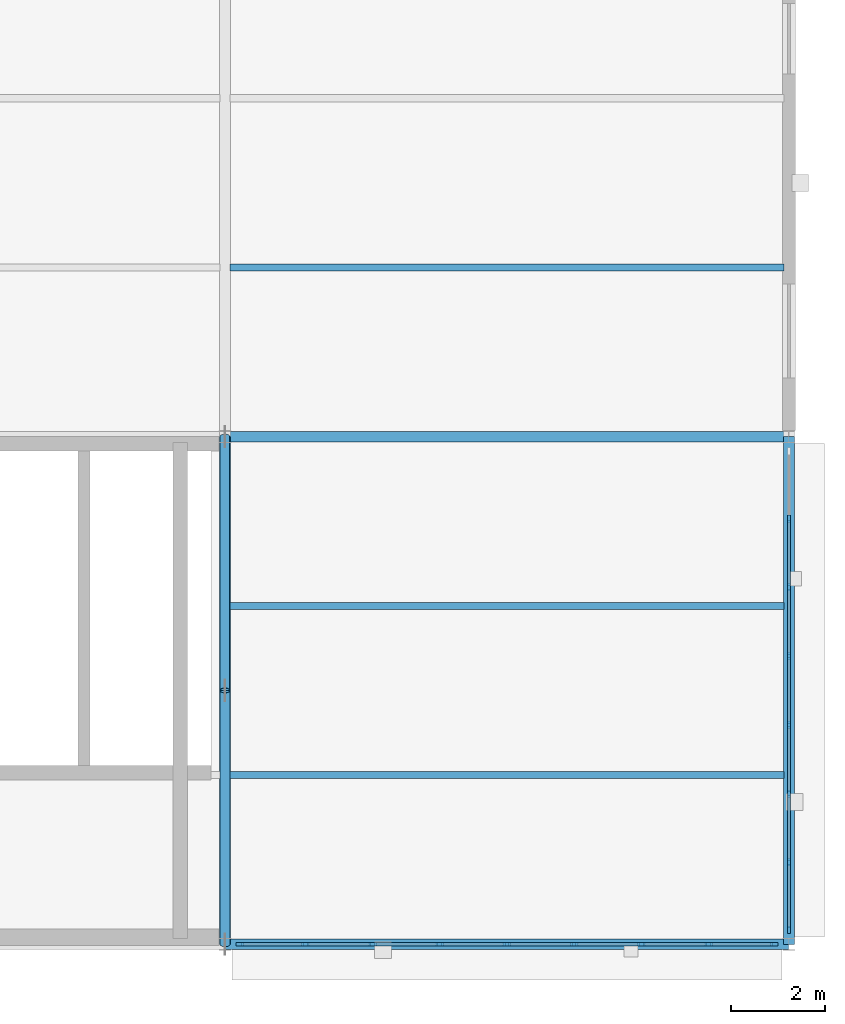
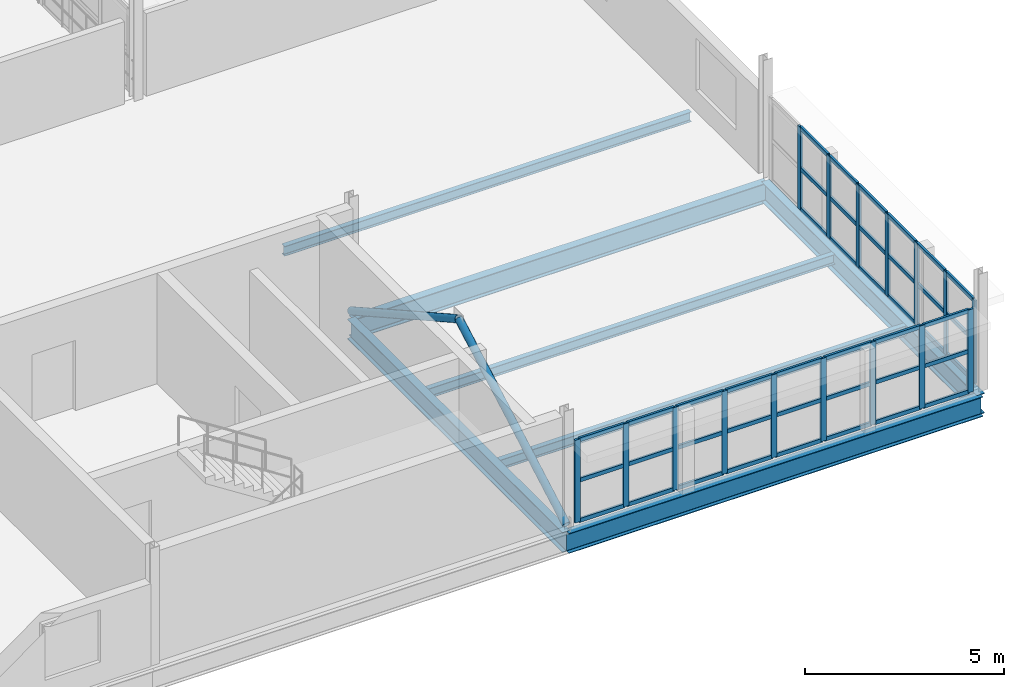
# One storey, part 37 of 74: 60 members, 7 beams, 2 elements without a shape of their own.
"""IFC4 building model written with IfcOpenShell, lengths in metres."""

import ifcopenshell
import ifcopenshell.guid

model = None  # the IFC model being written
_history = None  # IfcOwnerHistory: only IFC2X3 demands one
_inside = {}  # id of a spatial element -> (the spatial element, [elements in it])
_under = {}  # id of a project, library or spatial element -> (it, [spatial elements below it])
_declared = {}  # id of a project -> (the project, [libraries it declares])
_typed = {}  # id of a type object -> (the type object, [elements of that type])
_made_of = {}  # id of a material, layer set ... -> (it, [elements and type objects made of it])


def new_model(schema):
    """Start an empty IFC model of exactly this schema.

    Asked for "IFC4X3", IfcOpenShell would pick the latest addendum, in which some entities
    have other attributes; the version numbers below select the first issue.
    IFC2X3 requires an IfcOwnerHistory on every rooted entity: one is made here for all.
    """
    global model, _history
    if schema == "IFC4X3":
        model = ifcopenshell.file(schema_version=(4, 3, 0, 0))
    else:
        model = ifcopenshell.file(schema=schema)
    _inside.clear()
    _under.clear()
    _declared.clear()
    _typed.clear()
    _made_of.clear()
    _history = None
    if model.schema == "IFC2X3":
        org = make("IfcOrganization", Name="unknown")
        user = make(
            "IfcPersonAndOrganization",
            ThePerson=make("IfcPerson", FamilyName="unknown"),
            TheOrganization=org,
        )
        app = make(
            "IfcApplication",
            ApplicationDeveloper=org,
            Version="unknown",
            ApplicationFullName="unknown",
            ApplicationIdentifier="unknown",
        )
        _history = make(
            "IfcOwnerHistory",
            OwningUser=user,
            OwningApplication=app,
            ChangeAction="ADDED",
            CreationDate=0,
        )
    return model


def make(cls, **values):
    """One entity of the class cls with the attributes given. An attribute that is None is left unset."""
    return model.create_entity(
        cls, **{name: value for name, value in values.items() if value is not None}
    )


def rooted(cls, **values):
    """An entity with a GlobalId (a new one), such as an element, a storey or a relation."""
    return make(cls, GlobalId=ifcopenshell.guid.new(), OwnerHistory=_history, **values)


def si_unit(unit_type, name, prefix=None):
    """IfcSIUnit, for example si_unit("LENGTHUNIT", "METRE", prefix="MILLI")."""
    return make("IfcSIUnit", UnitType=unit_type, Prefix=prefix, Name=name)


def assignment(units):
    """IfcUnitAssignment: the units of a project."""
    return None if units is None else make("IfcUnitAssignment", Units=units)


def point(xyz):
    """IfcCartesianPoint."""
    return None if xyz is None else make("IfcCartesianPoint", Coordinates=xyz)


def direction(xyz):
    """IfcDirection."""
    return None if xyz is None else make("IfcDirection", DirectionRatios=xyz)


def frame(location, z_axis=None, x_axis=None):
    """IfcAxis2Placement3D, a coordinate frame: its origin and axes. An axis left out is left unset."""
    return make(
        "IfcAxis2Placement3D",
        Location=point(location),
        Axis=direction(z_axis),
        RefDirection=direction(x_axis),
    )


def frame_2d(location, x_axis=None):
    """IfcAxis2Placement2D, a coordinate frame in the plane: its origin and x axis."""
    return make(
        "IfcAxis2Placement2D", Location=point(location), RefDirection=direction(x_axis)
    )


def origin():
    """The frame at (0, 0, 0) with its axes left unset."""
    return frame((0.0, 0.0, 0.0))


def origin_2d():
    """The frame at (0, 0) in the plane with its x axis left unset."""
    return frame_2d((0.0, 0.0))


def place(relative_to, where):
    """IfcLocalPlacement: puts the frame where relative to a parent placement (None: the world)."""
    return make(
        "IfcLocalPlacement", PlacementRelTo=relative_to, RelativePlacement=where
    )


def context(
    kind, dimensions, precision=None, world=None, true_north=None, identifier=None
):
    """IfcGeometricRepresentationContext, for example the 3D "Model" context."""
    return make(
        "IfcGeometricRepresentationContext",
        ContextIdentifier=identifier,
        ContextType=kind,
        CoordinateSpaceDimension=dimensions,
        Precision=precision,
        WorldCoordinateSystem=world,
        TrueNorth=true_north,
    )


def subcontext(parent, identifier, kind, view, scale=None):
    """IfcGeometricRepresentationSubContext, for example "Body" below "Model"."""
    return make(
        "IfcGeometricRepresentationSubContext",
        ContextIdentifier=identifier,
        ContextType=kind,
        ParentContext=parent,
        TargetScale=scale,
        TargetView=view,
    )


def project(units=None, contexts=None):
    """IfcProject with its units and contexts."""
    return rooted(
        "IfcProject",
        Name="project",
        RepresentationContexts=contexts,
        UnitsInContext=assignment(units),
    )


def spatial(cls, under=None, at=None, **own):
    """A site, building, storey or space (cls), placed at a placement, below another one or the project."""
    s = rooted(cls, ObjectPlacement=at, **own)
    if under is not None:
        _under.setdefault(under.id(), (under, []))[1].append(s)
    return s


def profile(cls, at=None, kind="AREA", **sizes):
    """A parametric profile (cls). Its sizes go by their IFC names, for example OverallWidth=200.0."""
    return make(cls, ProfileType=kind, Position=at, **sizes)


def rectangle(**sizes):
    """IfcRectangleProfileDef."""
    return profile("IfcRectangleProfileDef", **sizes)


def hollow_circle(**sizes):
    """IfcCircleHollowProfileDef."""
    return profile("IfcCircleHollowProfileDef", **sizes)


def i_section(**sizes):
    """IfcIShapeProfileDef."""
    return profile("IfcIShapeProfileDef", **sizes)


def extrude(swept, where, along, depth):
    """IfcExtrudedAreaSolid: the profile swept, set in the frame where, extruded along a direction by depth."""
    return make(
        "IfcExtrudedAreaSolid",
        SweptArea=swept,
        Position=where,
        ExtrudedDirection=direction(along),
        Depth=depth,
    )


def shape(context_of_items, identifier, shape_type, items):
    """IfcShapeRepresentation: the items that make up one representation, for example the "Body"."""
    return make(
        "IfcShapeRepresentation",
        ContextOfItems=context_of_items,
        RepresentationIdentifier=identifier,
        RepresentationType=shape_type,
        Items=items,
    )


def material(Name=None, Category=None):
    """IfcMaterial."""
    return make("IfcMaterial", Name=Name, Category=Category)


def layer(
    of_material, thickness, ventilated=None, Name=None, Category=None, Priority=None
):
    """IfcMaterialLayer: one layer of a wall or slab, of a material (None: an air gap)."""
    return make(
        "IfcMaterialLayer",
        Material=of_material,
        LayerThickness=thickness,
        IsVentilated=ventilated,
        Name=Name,
        Category=Category,
        Priority=Priority,
    )


def layer_set(layers, Name=None):
    """IfcMaterialLayerSet."""
    return make("IfcMaterialLayerSet", MaterialLayers=layers, LayerSetName=Name)


def material_profile(
    of_material, cross_section, Name=None, Category=None, Priority=None
):
    """IfcMaterialProfile: a cross section and its material."""
    return make(
        "IfcMaterialProfile",
        Name=Name,
        Material=of_material,
        Profile=cross_section,
        Priority=Priority,
        Category=Category,
    )


def profile_set(profiles, Name=None, composite=None):
    """IfcMaterialProfileSet."""
    return make(
        "IfcMaterialProfileSet",
        Name=Name,
        MaterialProfiles=profiles,
        CompositeProfile=composite,
    )


def made_of(thing, what):
    """Note that an element or type object is made of a material, layer set ...; save() writes the relation."""
    if what is not None:
        _made_of.setdefault(what.id(), (what, []))[1].append(thing)
    return thing


def type_object(cls, material=None, **own):
    """A type object (cls), such as IfcWallType, which elements share."""
    return made_of(rooted(cls, **own), material)


def element(
    cls,
    number,
    at=None,
    inside=None,
    cuts=None,
    type_object=None,
    material=None,
    context=None,
    identifier="Body",
    shape_type=None,
    held_by="IfcProductDefinitionShape",
    body=None,
    shapes=None,
    **own,
):
    """One element of the class cls, such as IfcWall. Its Tag is "e" and its number.

    at: its placement. inside: the storey or other place that contains it. cuts: it is an
    opening in that element (IfcRelVoidsElement). A single representation is given by context,
    identifier, shape_type and body (its items); several are given by shapes. held_by: the class
    of the entity that holds the representations. save() writes the other relations.
    """
    e = rooted(cls, Tag="e%d" % number, ObjectPlacement=at, **own)
    if body is not None:
        shapes = [shape(context, identifier, shape_type, body)]
    if shapes is not None:
        e.Representation = make(held_by, Representations=shapes)
    if inside is not None:
        _inside.setdefault(inside.id(), (inside, []))[1].append(e)
    if cuts is not None:
        rooted(
            "IfcRelVoidsElement", RelatingBuildingElement=cuts, RelatedOpeningElement=e
        )
    if type_object is not None:
        _typed.setdefault(type_object.id(), (type_object, []))[1].append(e)
    return made_of(e, material)


def aggregate(whole, parts):
    """IfcRelAggregates: a whole, such as a stair, and the parts it consists of."""
    return rooted("IfcRelAggregates", RelatingObject=whole, RelatedObjects=parts)


def save(model, path):
    """Write the relations noted so far, then the file.

    IfcRelAggregates (storeys below a building ...), IfcRelContainedInSpatialStructure (elements
    in a storey), IfcRelDefinesByType, IfcRelAssociatesMaterial and IfcRelDeclares: one each for
    every whole, place, type object, material and project.
    """
    for whole, parts in _under.values():
        aggregate(whole, parts)
    for where, things in _inside.values():
        rooted(
            "IfcRelContainedInSpatialStructure",
            RelatedElements=things,
            RelatingStructure=where,
        )
    for kind, things in _typed.values():
        rooted("IfcRelDefinesByType", RelatedObjects=things, RelatingType=kind)
    for what, things in _made_of.values():
        rooted("IfcRelAssociatesMaterial", RelatedObjects=things, RelatingMaterial=what)
    for by, libraries in _declared.values():
        rooted("IfcRelDeclares", RelatingContext=by, RelatedDefinitions=libraries)
    model.write(path)


model = new_model("IFC4")

# Units and contexts
model_context = context("Model", 3, precision=1e-05, world=origin(), true_north=direction((0.0, 1.0)))
body_context = subcontext(model_context, "Body", "Model", "MODEL_VIEW")
ifc_project = project(units=[si_unit("LENGTHUNIT", "METRE"), si_unit("AREAUNIT", "SQUARE_METRE"), si_unit("VOLUMEUNIT", "CUBIC_METRE"), si_unit("PLANEANGLEUNIT", "RADIAN"), si_unit("MASSUNIT", "GRAM", prefix="KILO"), si_unit("THERMODYNAMICTEMPERATUREUNIT", "KELVIN"), si_unit("POWERUNIT", "WATT")], contexts=[model_context])

# Site, building, storey
site_placement = place(None, origin())
site = spatial("IfcSite", under=ifc_project, at=site_placement, CompositionType="ELEMENT")
building_placement = place(site_placement, origin())
building = spatial("IfcBuilding", under=site, at=building_placement, Name="Tembeka Court Mobility Hub", CompositionType="ELEMENT")
storey_placement = place(building_placement, frame((0.0, 0.0, 12.60009765625)))
storey = spatial("IfcBuildingStorey", under=building, at=storey_placement, Name="L03", CompositionType="ELEMENT", Elevation=12.60009765625)

# Beams
ifc_material_1 = material(Name="Steel S355", Category="steel")
ifc_material_profile_1 = material_profile(ifc_material_1, i_section(OverallWidth=0.22900390625, OverallDepth=0.612060546875, WebThickness=0.011962890625, FlangeThickness=0.01953125, FilletRadius=0.0126953125, at=origin_2d()), Name="UKB 610x229x125")
ifc_profile_set_1 = profile_set([ifc_material_profile_1], Name="Steel S355")
beam_type_1 = type_object("IfcBeamType", Name="BM-G02", PredefinedType="USERDEFINED", material=ifc_profile_set_1)
for number, where, z_axis, x_axis, name in (
    (1, (164.39990234375, 0.0, -0.49609375), (1.0, 0.0, 0.0), (0.0, 1.0, 0.0), "Beam G02 (BM-L03-X1695)"),
    (2, (164.39990234375, 10.800048828125, -0.49609375), (1.0, 0.0, 0.0), (0.0, 1.0, 0.0), "Beam G02 (BM-L03-X1702)"),
):
    element("IfcBeam", number, at=place(storey_placement, frame(where, z_axis=z_axis, x_axis=x_axis)), inside=storey, type_object=beam_type_1, Name=name, ObjectType="GIRDER", PredefinedType="USERDEFINED", context=body_context, shape_type="SweptSolid", body=[
        extrude(i_section(OverallWidth=0.22900390625, OverallDepth=0.612060546875, WebThickness=0.011962890625, FlangeThickness=0.01953125, FilletRadius=0.0126953125, at=origin_2d()), origin(), (0.0, 0.0, 1.0), 12.0),
    ])
for number, where, z_axis, x_axis, name in (
    (3, (164.39990234375, 0.0, -0.49609375), (0.0, 1.0, 0.0), (-1.0, 0.0, 0.0), "Beam G02 (BM-L03-Y1934)"),
    (4, (176.39990234375, 0.0, -0.49609375), (0.0, 1.0, 0.0), (-1.0, 0.0, 0.0), "Beam G02 (BM-L03-Y1940)"),
):
    element("IfcBeam", number, at=place(storey_placement, frame(where, z_axis=z_axis, x_axis=x_axis)), inside=storey, type_object=beam_type_1, Name=name, ObjectType="GIRDER", PredefinedType="USERDEFINED", context=body_context, shape_type="SweptSolid", body=[
        extrude(i_section(OverallWidth=0.22900390625, OverallDepth=0.612060546875, WebThickness=0.011962890625, FlangeThickness=0.01953125, FilletRadius=0.0126953125, at=origin_2d()), origin(), (0.0, 0.0, 1.0), 10.800048828125),
    ])
ifc_material_profile_2 = material_profile(ifc_material_1, i_section(OverallWidth=0.14990234375, OverallDepth=0.300048828125, WebThickness=0.007080078125, FlangeThickness=0.0107421875, FilletRadius=0.014892578125, at=origin_2d()), Name="IPE 300")
ifc_profile_set_2 = profile_set([ifc_material_profile_2], Name="Steel S355")
beam_type_2 = type_object("IfcBeamType", Name="BM-J04", PredefinedType="JOIST", material=ifc_profile_set_2)
for number, where, z_axis, x_axis, name in (
    (5, (164.509521484375, 3.60009765625, -0.340087890625), (1.0, 0.0, 0.0), (0.0, 1.0, 0.0), "Beam J04 (JST-L03-2171)"),
    (6, (164.509521484375, 7.199951171875, -0.340087890625), (1.0, 0.0, 0.0), (0.0, 1.0, 0.0), "Beam J04 (JST-L03-2172)"),
    (7, (164.509521484375, 14.39990234375, -0.340087890625), (1.0, 0.0, 0.0), (0.0, 1.0, 0.0), "Beam J04 (JST-L03-2173)"),
):
    element("IfcBeam", number, at=place(storey_placement, frame(where, z_axis=z_axis, x_axis=x_axis)), inside=storey, type_object=beam_type_2, Name=name, PredefinedType="JOIST", context=body_context, shape_type="SweptSolid", body=[
        extrude(i_section(OverallWidth=0.14990234375, OverallDepth=0.300048828125, WebThickness=0.007080078125, FlangeThickness=0.0107421875, FilletRadius=0.014892578125, at=origin_2d()), origin(), (0.0, 0.0, 1.0), 11.781005859375),
    ])

# Curtain wall, members
ifc_material_2 = material(Name="Anodised aluminium 6063-T6", Category="aluminium")
ifc_layer_1 = layer(ifc_material_2, 0.159912109375)
ifc_layer_set_1 = layer_set([ifc_layer_1], Name="Anodised aluminium 6063-T6")
curtain_wall_type_1 = type_object("IfcCurtainWallType", Name="CW-SYS41", PredefinedType="USERDEFINED", material=ifc_layer_set_1)
curtain_wall_1_placement = place(storey_placement, origin())
curtain_wall_1 = element("IfcCurtainWall", 8, at=curtain_wall_1_placement, inside=storey, type_object=curtain_wall_type_1, Name="Unitised curtain wall CW41 (CW-L03-134)", ObjectType="UNITISED GLAZING", PredefinedType="USERDEFINED")
ifc_material_profile_3 = material_profile(ifc_material_2, rectangle(XDim=0.06494140625, YDim=0.159912109375, at=origin_2d()), Name="ALU-MUL 65x160")
ifc_profile_set_3 = profile_set([ifc_material_profile_3], Name="Anodised aluminium 6063-T6")
member_type_1 = type_object("IfcMemberType", Name="CW-MUL01", PredefinedType="MULLION", material=ifc_profile_set_3)
member_1_placement = place(storey_placement, frame((164.71240234375, 0.0, 0.0), z_axis=(0.0, 0.0, 1.0), x_axis=(0.0, 1.0, 0.0)))
member_1 = element("IfcMember", 9, at=member_1_placement, type_object=member_type_1, Name="CW41 mullion 1", PredefinedType="MULLION", context=body_context, shape_type="SweptSolid", body=[
    extrude(rectangle(XDim=0.06494140625, YDim=0.159912109375, at=origin_2d()), origin(), (0.0, 0.0, 1.0), 2.534912109375),
])
member_2_placement = place(storey_placement, frame((166.110107421875, 0.0, 0.0), z_axis=(0.0, 0.0, 1.0), x_axis=(0.0, 1.0, 0.0)))
member_2 = element("IfcMember", 10, at=member_2_placement, type_object=member_type_1, Name="CW41 mullion 2", PredefinedType="MULLION", context=body_context, shape_type="SweptSolid", body=[
    extrude(rectangle(XDim=0.06494140625, YDim=0.159912109375, at=origin_2d()), origin(), (0.0, 0.0, 1.0), 2.534912109375),
])
member_3_placement = place(storey_placement, frame((167.5400390625, 0.0, 0.0), z_axis=(0.0, 0.0, 1.0), x_axis=(0.0, 1.0, 0.0)))
member_3 = element("IfcMember", 11, at=member_3_placement, type_object=member_type_1, Name="CW41 mullion 3", PredefinedType="MULLION", context=body_context, shape_type="SweptSolid", body=[
    extrude(rectangle(XDim=0.06494140625, YDim=0.159912109375, at=origin_2d()), origin(), (0.0, 0.0, 1.0), 2.534912109375),
])
member_4_placement = place(storey_placement, frame((168.969970703125, 0.0, 0.0), z_axis=(0.0, 0.0, 1.0), x_axis=(0.0, 1.0, 0.0)))
member_4 = element("IfcMember", 12, at=member_4_placement, type_object=member_type_1, Name="CW41 mullion 4", PredefinedType="MULLION", context=body_context, shape_type="SweptSolid", body=[
    extrude(rectangle(XDim=0.06494140625, YDim=0.159912109375, at=origin_2d()), origin(), (0.0, 0.0, 1.0), 2.534912109375),
])
member_5_placement = place(storey_placement, frame((170.39990234375, 0.0, 0.0), z_axis=(0.0, 0.0, 1.0), x_axis=(0.0, 1.0, 0.0)))
member_5 = element("IfcMember", 13, at=member_5_placement, type_object=member_type_1, Name="CW41 mullion 5", PredefinedType="MULLION", context=body_context, shape_type="SweptSolid", body=[
    extrude(rectangle(XDim=0.06494140625, YDim=0.159912109375, at=origin_2d()), origin(), (0.0, 0.0, 1.0), 2.534912109375),
])
member_6_placement = place(storey_placement, frame((171.830078125, 0.0, 0.0), z_axis=(0.0, 0.0, 1.0), x_axis=(0.0, 1.0, 0.0)))
member_6 = element("IfcMember", 14, at=member_6_placement, type_object=member_type_1, Name="CW41 mullion 6", PredefinedType="MULLION", context=body_context, shape_type="SweptSolid", body=[
    extrude(rectangle(XDim=0.06494140625, YDim=0.159912109375, at=origin_2d()), origin(), (0.0, 0.0, 1.0), 2.534912109375),
])
member_7_placement = place(storey_placement, frame((173.260009765625, 0.0, 0.0), z_axis=(0.0, 0.0, 1.0), x_axis=(0.0, 1.0, 0.0)))
member_7 = element("IfcMember", 15, at=member_7_placement, type_object=member_type_1, Name="CW41 mullion 7", PredefinedType="MULLION", context=body_context, shape_type="SweptSolid", body=[
    extrude(rectangle(XDim=0.06494140625, YDim=0.159912109375, at=origin_2d()), origin(), (0.0, 0.0, 1.0), 2.534912109375),
])
member_8_placement = place(storey_placement, frame((174.68994140625, 0.0, 0.0), z_axis=(0.0, 0.0, 1.0), x_axis=(0.0, 1.0, 0.0)))
member_8 = element("IfcMember", 16, at=member_8_placement, type_object=member_type_1, Name="CW41 mullion 8", PredefinedType="MULLION", context=body_context, shape_type="SweptSolid", body=[
    extrude(rectangle(XDim=0.06494140625, YDim=0.159912109375, at=origin_2d()), origin(), (0.0, 0.0, 1.0), 2.534912109375),
])
member_9_placement = place(storey_placement, frame((176.08740234375, 0.0, 0.0), z_axis=(0.0, 0.0, 1.0), x_axis=(0.0, 1.0, 0.0)))
member_9 = element("IfcMember", 17, at=member_9_placement, type_object=member_type_1, Name="CW41 mullion 9", PredefinedType="MULLION", context=body_context, shape_type="SweptSolid", body=[
    extrude(rectangle(XDim=0.06494140625, YDim=0.159912109375, at=origin_2d()), origin(), (0.0, 0.0, 1.0), 2.534912109375),
])

ifc_layer_2 = layer(ifc_material_2, 0.159912109375)
ifc_layer_set_2 = layer_set([ifc_layer_2], Name="Anodised aluminium 6063-T6")
curtain_wall_type_2 = type_object("IfcCurtainWallType", Name="CW-SYS42", PredefinedType="USERDEFINED", material=ifc_layer_set_2)
curtain_wall_2_placement = place(storey_placement, origin())
curtain_wall_2 = element("IfcCurtainWall", 18, at=curtain_wall_2_placement, inside=storey, type_object=curtain_wall_type_2, Name="Unitised curtain wall CW42 (CW-L03-135)", ObjectType="UNITISED GLAZING", PredefinedType="USERDEFINED")
member_10_placement = place(storey_placement, frame((176.39990234375, 0.3125, 0.0), z_axis=(0.0, 0.0, 1.0), x_axis=(-1.0, 0.0, 0.0)))
member_10 = element("IfcMember", 19, at=member_10_placement, type_object=member_type_1, Name="CW42 mullion 1", PredefinedType="MULLION", context=body_context, shape_type="SweptSolid", body=[
    extrude(rectangle(XDim=0.06494140625, YDim=0.159912109375, at=origin_2d()), origin(), (0.0, 0.0, 1.0), 2.534912109375),
])
member_11_placement = place(storey_placement, frame((176.39990234375, 1.742919921875, 0.0), z_axis=(0.0, 0.0, 1.0), x_axis=(-1.0, 0.0, 0.0)))
member_11 = element("IfcMember", 20, at=member_11_placement, type_object=member_type_1, Name="CW42 mullion 2", PredefinedType="MULLION", context=body_context, shape_type="SweptSolid", body=[
    extrude(rectangle(XDim=0.06494140625, YDim=0.159912109375, at=origin_2d()), origin(), (0.0, 0.0, 1.0), 2.534912109375),
])
member_12_placement = place(storey_placement, frame((176.39990234375, 3.205810546875, 0.0), z_axis=(0.0, 0.0, 1.0), x_axis=(-1.0, 0.0, 0.0)))
member_12 = element("IfcMember", 21, at=member_12_placement, type_object=member_type_1, Name="CW42 mullion 3", PredefinedType="MULLION", context=body_context, shape_type="SweptSolid", body=[
    extrude(rectangle(XDim=0.06494140625, YDim=0.159912109375, at=origin_2d()), origin(), (0.0, 0.0, 1.0), 2.534912109375),
])
member_13_placement = place(storey_placement, frame((176.39990234375, 4.66845703125, 0.0), z_axis=(0.0, 0.0, 1.0), x_axis=(-1.0, 0.0, 0.0)))
member_13 = element("IfcMember", 22, at=member_13_placement, type_object=member_type_1, Name="CW42 mullion 4", PredefinedType="MULLION", context=body_context, shape_type="SweptSolid", body=[
    extrude(rectangle(XDim=0.06494140625, YDim=0.159912109375, at=origin_2d()), origin(), (0.0, 0.0, 1.0), 2.534912109375),
])
member_14_placement = place(storey_placement, frame((176.39990234375, 6.13134765625, 0.0), z_axis=(0.0, 0.0, 1.0), x_axis=(-1.0, 0.0, 0.0)))
member_14 = element("IfcMember", 23, at=member_14_placement, type_object=member_type_1, Name="CW42 mullion 5", PredefinedType="MULLION", context=body_context, shape_type="SweptSolid", body=[
    extrude(rectangle(XDim=0.06494140625, YDim=0.159912109375, at=origin_2d()), origin(), (0.0, 0.0, 1.0), 2.534912109375),
])
member_15_placement = place(storey_placement, frame((176.39990234375, 7.59423828125, 0.0), z_axis=(0.0, 0.0, 1.0), x_axis=(-1.0, 0.0, 0.0)))
member_15 = element("IfcMember", 24, at=member_15_placement, type_object=member_type_1, Name="CW42 mullion 6", PredefinedType="MULLION", context=body_context, shape_type="SweptSolid", body=[
    extrude(rectangle(XDim=0.06494140625, YDim=0.159912109375, at=origin_2d()), origin(), (0.0, 0.0, 1.0), 2.534912109375),
])
member_16_placement = place(storey_placement, frame((176.39990234375, 9.05712890625, 0.0), z_axis=(0.0, 0.0, 1.0), x_axis=(-1.0, 0.0, 0.0)))
member_16 = element("IfcMember", 25, at=member_16_placement, type_object=member_type_1, Name="CW42 mullion 7", PredefinedType="MULLION", context=body_context, shape_type="SweptSolid", body=[
    extrude(rectangle(XDim=0.06494140625, YDim=0.159912109375, at=origin_2d()), origin(), (0.0, 0.0, 1.0), 2.534912109375),
])

# Member
ifc_material_profile_4 = material_profile(ifc_material_2, rectangle(XDim=0.06494140625, YDim=0.1201171875, at=origin_2d()), Name="ALU-TRN 65x120")
ifc_profile_set_4 = profile_set([ifc_material_profile_4], Name="Anodised aluminium 6063-T6")
member_type_2 = type_object("IfcMemberType", Name="CW-TRN01", PredefinedType="USERDEFINED", material=ifc_profile_set_4)
member_17_placement = place(storey_placement, frame((164.7451171875, 0.0, 0.032470703125), z_axis=(1.0, 0.0, 0.0), x_axis=(0.0, 1.0, 0.0)))
member_17 = element("IfcMember", 26, at=member_17_placement, type_object=member_type_2, Name="CW41 transom 1.1", ObjectType="TRANSOM", PredefinedType="USERDEFINED", context=body_context, shape_type="SweptSolid", body=[
    extrude(rectangle(XDim=0.06494140625, YDim=0.1201171875, at=origin_2d()), origin(), (0.0, 0.0, 1.0), 1.332275390625),
])

member_18_placement = place(storey_placement, frame((164.7451171875, 0.0, 1.267333984375), z_axis=(1.0, 0.0, 0.0), x_axis=(0.0, 1.0, 0.0)))
member_18 = element("IfcMember", 27, at=member_18_placement, type_object=member_type_2, Name="CW41 transom 1.2", ObjectType="TRANSOM", PredefinedType="USERDEFINED", context=body_context, shape_type="SweptSolid", body=[
    extrude(rectangle(XDim=0.06494140625, YDim=0.1201171875, at=origin_2d()), origin(), (0.0, 0.0, 1.0), 1.332275390625),
])

member_19_placement = place(storey_placement, frame((164.7451171875, 0.0, 2.50244140625), z_axis=(1.0, 0.0, 0.0), x_axis=(0.0, 1.0, 0.0)))
member_19 = element("IfcMember", 28, at=member_19_placement, type_object=member_type_2, Name="CW41 transom 1.3", ObjectType="TRANSOM", PredefinedType="USERDEFINED", context=body_context, shape_type="SweptSolid", body=[
    extrude(rectangle(XDim=0.06494140625, YDim=0.1201171875, at=origin_2d()), origin(), (0.0, 0.0, 1.0), 1.332275390625),
])

member_20_placement = place(storey_placement, frame((166.142578125, 0.0, 0.032470703125), z_axis=(1.0, 0.0, 0.0), x_axis=(0.0, 1.0, 0.0)))
member_20 = element("IfcMember", 29, at=member_20_placement, type_object=member_type_2, Name="CW41 transom 2.1", ObjectType="TRANSOM", PredefinedType="USERDEFINED", context=body_context, shape_type="SweptSolid", body=[
    extrude(rectangle(XDim=0.06494140625, YDim=0.1201171875, at=origin_2d()), origin(), (0.0, 0.0, 1.0), 1.364990234375),
])

member_21_placement = place(storey_placement, frame((166.142578125, 0.0, 1.267333984375), z_axis=(1.0, 0.0, 0.0), x_axis=(0.0, 1.0, 0.0)))
member_21 = element("IfcMember", 30, at=member_21_placement, type_object=member_type_2, Name="CW41 transom 2.2", ObjectType="TRANSOM", PredefinedType="USERDEFINED", context=body_context, shape_type="SweptSolid", body=[
    extrude(rectangle(XDim=0.06494140625, YDim=0.1201171875, at=origin_2d()), origin(), (0.0, 0.0, 1.0), 1.364990234375),
])

member_22_placement = place(storey_placement, frame((166.142578125, 0.0, 2.50244140625), z_axis=(1.0, 0.0, 0.0), x_axis=(0.0, 1.0, 0.0)))
member_22 = element("IfcMember", 31, at=member_22_placement, type_object=member_type_2, Name="CW41 transom 2.3", ObjectType="TRANSOM", PredefinedType="USERDEFINED", context=body_context, shape_type="SweptSolid", body=[
    extrude(rectangle(XDim=0.06494140625, YDim=0.1201171875, at=origin_2d()), origin(), (0.0, 0.0, 1.0), 1.364990234375),
])

member_23_placement = place(storey_placement, frame((167.572509765625, 0.0, 0.032470703125), z_axis=(1.0, 0.0, 0.0), x_axis=(0.0, 1.0, 0.0)))
member_23 = element("IfcMember", 32, at=member_23_placement, type_object=member_type_2, Name="CW41 transom 3.1", ObjectType="TRANSOM", PredefinedType="USERDEFINED", context=body_context, shape_type="SweptSolid", body=[
    extrude(rectangle(XDim=0.06494140625, YDim=0.1201171875, at=origin_2d()), origin(), (0.0, 0.0, 1.0), 1.364990234375),
])

member_24_placement = place(storey_placement, frame((167.572509765625, 0.0, 1.267333984375), z_axis=(1.0, 0.0, 0.0), x_axis=(0.0, 1.0, 0.0)))
member_24 = element("IfcMember", 33, at=member_24_placement, type_object=member_type_2, Name="CW41 transom 3.2", ObjectType="TRANSOM", PredefinedType="USERDEFINED", context=body_context, shape_type="SweptSolid", body=[
    extrude(rectangle(XDim=0.06494140625, YDim=0.1201171875, at=origin_2d()), origin(), (0.0, 0.0, 1.0), 1.364990234375),
])

member_25_placement = place(storey_placement, frame((167.572509765625, 0.0, 2.50244140625), z_axis=(1.0, 0.0, 0.0), x_axis=(0.0, 1.0, 0.0)))
member_25 = element("IfcMember", 34, at=member_25_placement, type_object=member_type_2, Name="CW41 transom 3.3", ObjectType="TRANSOM", PredefinedType="USERDEFINED", context=body_context, shape_type="SweptSolid", body=[
    extrude(rectangle(XDim=0.06494140625, YDim=0.1201171875, at=origin_2d()), origin(), (0.0, 0.0, 1.0), 1.364990234375),
])

member_26_placement = place(storey_placement, frame((169.00244140625, 0.0, 0.032470703125), z_axis=(1.0, 0.0, 0.0), x_axis=(0.0, 1.0, 0.0)))
member_26 = element("IfcMember", 35, at=member_26_placement, type_object=member_type_2, Name="CW41 transom 4.1", ObjectType="TRANSOM", PredefinedType="USERDEFINED", context=body_context, shape_type="SweptSolid", body=[
    extrude(rectangle(XDim=0.06494140625, YDim=0.1201171875, at=origin_2d()), origin(), (0.0, 0.0, 1.0), 1.364990234375),
])

member_27_placement = place(storey_placement, frame((169.00244140625, 0.0, 1.267333984375), z_axis=(1.0, 0.0, 0.0), x_axis=(0.0, 1.0, 0.0)))
member_27 = element("IfcMember", 36, at=member_27_placement, type_object=member_type_2, Name="CW41 transom 4.2", ObjectType="TRANSOM", PredefinedType="USERDEFINED", context=body_context, shape_type="SweptSolid", body=[
    extrude(rectangle(XDim=0.06494140625, YDim=0.1201171875, at=origin_2d()), origin(), (0.0, 0.0, 1.0), 1.364990234375),
])

member_28_placement = place(storey_placement, frame((169.00244140625, 0.0, 2.50244140625), z_axis=(1.0, 0.0, 0.0), x_axis=(0.0, 1.0, 0.0)))
member_28 = element("IfcMember", 37, at=member_28_placement, type_object=member_type_2, Name="CW41 transom 4.3", ObjectType="TRANSOM", PredefinedType="USERDEFINED", context=body_context, shape_type="SweptSolid", body=[
    extrude(rectangle(XDim=0.06494140625, YDim=0.1201171875, at=origin_2d()), origin(), (0.0, 0.0, 1.0), 1.364990234375),
])

member_29_placement = place(storey_placement, frame((170.4326171875, 0.0, 0.032470703125), z_axis=(1.0, 0.0, 0.0), x_axis=(0.0, 1.0, 0.0)))
member_29 = element("IfcMember", 38, at=member_29_placement, type_object=member_type_2, Name="CW41 transom 5.1", ObjectType="TRANSOM", PredefinedType="USERDEFINED", context=body_context, shape_type="SweptSolid", body=[
    extrude(rectangle(XDim=0.06494140625, YDim=0.1201171875, at=origin_2d()), origin(), (0.0, 0.0, 1.0), 1.364990234375),
])

member_30_placement = place(storey_placement, frame((170.4326171875, 0.0, 1.267333984375), z_axis=(1.0, 0.0, 0.0), x_axis=(0.0, 1.0, 0.0)))
member_30 = element("IfcMember", 39, at=member_30_placement, type_object=member_type_2, Name="CW41 transom 5.2", ObjectType="TRANSOM", PredefinedType="USERDEFINED", context=body_context, shape_type="SweptSolid", body=[
    extrude(rectangle(XDim=0.06494140625, YDim=0.1201171875, at=origin_2d()), origin(), (0.0, 0.0, 1.0), 1.364990234375),
])

member_31_placement = place(storey_placement, frame((170.4326171875, 0.0, 2.50244140625), z_axis=(1.0, 0.0, 0.0), x_axis=(0.0, 1.0, 0.0)))
member_31 = element("IfcMember", 40, at=member_31_placement, type_object=member_type_2, Name="CW41 transom 5.3", ObjectType="TRANSOM", PredefinedType="USERDEFINED", context=body_context, shape_type="SweptSolid", body=[
    extrude(rectangle(XDim=0.06494140625, YDim=0.1201171875, at=origin_2d()), origin(), (0.0, 0.0, 1.0), 1.364990234375),
])

member_32_placement = place(storey_placement, frame((171.862548828125, 0.0, 0.032470703125), z_axis=(1.0, 0.0, 0.0), x_axis=(0.0, 1.0, 0.0)))
member_32 = element("IfcMember", 41, at=member_32_placement, type_object=member_type_2, Name="CW41 transom 6.1", ObjectType="TRANSOM", PredefinedType="USERDEFINED", context=body_context, shape_type="SweptSolid", body=[
    extrude(rectangle(XDim=0.06494140625, YDim=0.1201171875, at=origin_2d()), origin(), (0.0, 0.0, 1.0), 1.364990234375),
])

member_33_placement = place(storey_placement, frame((171.862548828125, 0.0, 1.267333984375), z_axis=(1.0, 0.0, 0.0), x_axis=(0.0, 1.0, 0.0)))
member_33 = element("IfcMember", 42, at=member_33_placement, type_object=member_type_2, Name="CW41 transom 6.2", ObjectType="TRANSOM", PredefinedType="USERDEFINED", context=body_context, shape_type="SweptSolid", body=[
    extrude(rectangle(XDim=0.06494140625, YDim=0.1201171875, at=origin_2d()), origin(), (0.0, 0.0, 1.0), 1.364990234375),
])

member_34_placement = place(storey_placement, frame((171.862548828125, 0.0, 2.50244140625), z_axis=(1.0, 0.0, 0.0), x_axis=(0.0, 1.0, 0.0)))
member_34 = element("IfcMember", 43, at=member_34_placement, type_object=member_type_2, Name="CW41 transom 6.3", ObjectType="TRANSOM", PredefinedType="USERDEFINED", context=body_context, shape_type="SweptSolid", body=[
    extrude(rectangle(XDim=0.06494140625, YDim=0.1201171875, at=origin_2d()), origin(), (0.0, 0.0, 1.0), 1.364990234375),
])

member_35_placement = place(storey_placement, frame((173.29248046875, 0.0, 0.032470703125), z_axis=(1.0, 0.0, 0.0), x_axis=(0.0, 1.0, 0.0)))
member_35 = element("IfcMember", 44, at=member_35_placement, type_object=member_type_2, Name="CW41 transom 7.1", ObjectType="TRANSOM", PredefinedType="USERDEFINED", context=body_context, shape_type="SweptSolid", body=[
    extrude(rectangle(XDim=0.06494140625, YDim=0.1201171875, at=origin_2d()), origin(), (0.0, 0.0, 1.0), 1.364990234375),
])

member_36_placement = place(storey_placement, frame((173.29248046875, 0.0, 1.267333984375), z_axis=(1.0, 0.0, 0.0), x_axis=(0.0, 1.0, 0.0)))
member_36 = element("IfcMember", 45, at=member_36_placement, type_object=member_type_2, Name="CW41 transom 7.2", ObjectType="TRANSOM", PredefinedType="USERDEFINED", context=body_context, shape_type="SweptSolid", body=[
    extrude(rectangle(XDim=0.06494140625, YDim=0.1201171875, at=origin_2d()), origin(), (0.0, 0.0, 1.0), 1.364990234375),
])

member_37_placement = place(storey_placement, frame((173.29248046875, 0.0, 2.50244140625), z_axis=(1.0, 0.0, 0.0), x_axis=(0.0, 1.0, 0.0)))
member_37 = element("IfcMember", 46, at=member_37_placement, type_object=member_type_2, Name="CW41 transom 7.3", ObjectType="TRANSOM", PredefinedType="USERDEFINED", context=body_context, shape_type="SweptSolid", body=[
    extrude(rectangle(XDim=0.06494140625, YDim=0.1201171875, at=origin_2d()), origin(), (0.0, 0.0, 1.0), 1.364990234375),
])

member_38_placement = place(storey_placement, frame((174.722412109375, 0.0, 0.032470703125), z_axis=(1.0, 0.0, 0.0), x_axis=(0.0, 1.0, 0.0)))
member_38 = element("IfcMember", 47, at=member_38_placement, type_object=member_type_2, Name="CW41 transom 8.1", ObjectType="TRANSOM", PredefinedType="USERDEFINED", context=body_context, shape_type="SweptSolid", body=[
    extrude(rectangle(XDim=0.06494140625, YDim=0.1201171875, at=origin_2d()), origin(), (0.0, 0.0, 1.0), 1.33251953125),
])

member_39_placement = place(storey_placement, frame((174.722412109375, 0.0, 1.267333984375), z_axis=(1.0, 0.0, 0.0), x_axis=(0.0, 1.0, 0.0)))
member_39 = element("IfcMember", 48, at=member_39_placement, type_object=member_type_2, Name="CW41 transom 8.2", ObjectType="TRANSOM", PredefinedType="USERDEFINED", context=body_context, shape_type="SweptSolid", body=[
    extrude(rectangle(XDim=0.06494140625, YDim=0.1201171875, at=origin_2d()), origin(), (0.0, 0.0, 1.0), 1.33251953125),
])

member_40_placement = place(storey_placement, frame((174.722412109375, 0.0, 2.50244140625), z_axis=(1.0, 0.0, 0.0), x_axis=(0.0, 1.0, 0.0)))
member_40 = element("IfcMember", 49, at=member_40_placement, type_object=member_type_2, Name="CW41 transom 8.3", ObjectType="TRANSOM", PredefinedType="USERDEFINED", context=body_context, shape_type="SweptSolid", body=[
    extrude(rectangle(XDim=0.06494140625, YDim=0.1201171875, at=origin_2d()), origin(), (0.0, 0.0, 1.0), 1.33251953125),
])

aggregate(curtain_wall_1, [member_1, member_2, member_3, member_4, member_5, member_6, member_7, member_8, member_9, member_17, member_18, member_19, member_20, member_21, member_22, member_23, member_24, member_25, member_26, member_27, member_28, member_29, member_30, member_31, member_32, member_33, member_34, member_35, member_36, member_37, member_38, member_39, member_40])

member_41_placement = place(storey_placement, frame((176.39990234375, 0.344970703125, 0.032470703125), z_axis=(0.0, 1.0, 0.0), x_axis=(-1.0, 0.0, 0.0)))
member_41 = element("IfcMember", 50, at=member_41_placement, type_object=member_type_2, Name="CW42 transom 1.1", ObjectType="TRANSOM", PredefinedType="USERDEFINED", context=body_context, shape_type="SweptSolid", body=[
    extrude(rectangle(XDim=0.06494140625, YDim=0.1201171875, at=origin_2d()), origin(), (0.0, 0.0, 1.0), 1.365478515625),
])

member_42_placement = place(storey_placement, frame((176.39990234375, 0.344970703125, 1.267333984375), z_axis=(0.0, 1.0, 0.0), x_axis=(-1.0, 0.0, 0.0)))
member_42 = element("IfcMember", 51, at=member_42_placement, type_object=member_type_2, Name="CW42 transom 1.2", ObjectType="TRANSOM", PredefinedType="USERDEFINED", context=body_context, shape_type="SweptSolid", body=[
    extrude(rectangle(XDim=0.06494140625, YDim=0.1201171875, at=origin_2d()), origin(), (0.0, 0.0, 1.0), 1.365478515625),
])

member_43_placement = place(storey_placement, frame((176.39990234375, 0.344970703125, 2.50244140625), z_axis=(0.0, 1.0, 0.0), x_axis=(-1.0, 0.0, 0.0)))
member_43 = element("IfcMember", 52, at=member_43_placement, type_object=member_type_2, Name="CW42 transom 1.3", ObjectType="TRANSOM", PredefinedType="USERDEFINED", context=body_context, shape_type="SweptSolid", body=[
    extrude(rectangle(XDim=0.06494140625, YDim=0.1201171875, at=origin_2d()), origin(), (0.0, 0.0, 1.0), 1.365478515625),
])

member_44_placement = place(storey_placement, frame((176.39990234375, 1.775390625, 0.032470703125), z_axis=(0.0, 1.0, 0.0), x_axis=(-1.0, 0.0, 0.0)))
member_44 = element("IfcMember", 53, at=member_44_placement, type_object=member_type_2, Name="CW42 transom 2.1", ObjectType="TRANSOM", PredefinedType="USERDEFINED", context=body_context, shape_type="SweptSolid", body=[
    extrude(rectangle(XDim=0.06494140625, YDim=0.1201171875, at=origin_2d()), origin(), (0.0, 0.0, 1.0), 1.397705078125),
])

member_45_placement = place(storey_placement, frame((176.39990234375, 1.775390625, 1.267333984375), z_axis=(0.0, 1.0, 0.0), x_axis=(-1.0, 0.0, 0.0)))
member_45 = element("IfcMember", 54, at=member_45_placement, type_object=member_type_2, Name="CW42 transom 2.2", ObjectType="TRANSOM", PredefinedType="USERDEFINED", context=body_context, shape_type="SweptSolid", body=[
    extrude(rectangle(XDim=0.06494140625, YDim=0.1201171875, at=origin_2d()), origin(), (0.0, 0.0, 1.0), 1.397705078125),
])

member_46_placement = place(storey_placement, frame((176.39990234375, 1.775390625, 2.50244140625), z_axis=(0.0, 1.0, 0.0), x_axis=(-1.0, 0.0, 0.0)))
member_46 = element("IfcMember", 55, at=member_46_placement, type_object=member_type_2, Name="CW42 transom 2.3", ObjectType="TRANSOM", PredefinedType="USERDEFINED", context=body_context, shape_type="SweptSolid", body=[
    extrude(rectangle(XDim=0.06494140625, YDim=0.1201171875, at=origin_2d()), origin(), (0.0, 0.0, 1.0), 1.397705078125),
])

member_47_placement = place(storey_placement, frame((176.39990234375, 3.23828125, 0.032470703125), z_axis=(0.0, 1.0, 0.0), x_axis=(-1.0, 0.0, 0.0)))
member_47 = element("IfcMember", 56, at=member_47_placement, type_object=member_type_2, Name="CW42 transom 3.1", ObjectType="TRANSOM", PredefinedType="USERDEFINED", context=body_context, shape_type="SweptSolid", body=[
    extrude(rectangle(XDim=0.06494140625, YDim=0.1201171875, at=origin_2d()), origin(), (0.0, 0.0, 1.0), 1.397705078125),
])

member_48_placement = place(storey_placement, frame((176.39990234375, 3.23828125, 1.267333984375), z_axis=(0.0, 1.0, 0.0), x_axis=(-1.0, 0.0, 0.0)))
member_48 = element("IfcMember", 57, at=member_48_placement, type_object=member_type_2, Name="CW42 transom 3.2", ObjectType="TRANSOM", PredefinedType="USERDEFINED", context=body_context, shape_type="SweptSolid", body=[
    extrude(rectangle(XDim=0.06494140625, YDim=0.1201171875, at=origin_2d()), origin(), (0.0, 0.0, 1.0), 1.397705078125),
])

member_49_placement = place(storey_placement, frame((176.39990234375, 3.23828125, 2.50244140625), z_axis=(0.0, 1.0, 0.0), x_axis=(-1.0, 0.0, 0.0)))
member_49 = element("IfcMember", 58, at=member_49_placement, type_object=member_type_2, Name="CW42 transom 3.3", ObjectType="TRANSOM", PredefinedType="USERDEFINED", context=body_context, shape_type="SweptSolid", body=[
    extrude(rectangle(XDim=0.06494140625, YDim=0.1201171875, at=origin_2d()), origin(), (0.0, 0.0, 1.0), 1.397705078125),
])

member_50_placement = place(storey_placement, frame((176.39990234375, 4.701171875, 0.032470703125), z_axis=(0.0, 1.0, 0.0), x_axis=(-1.0, 0.0, 0.0)))
member_50 = element("IfcMember", 59, at=member_50_placement, type_object=member_type_2, Name="CW42 transom 4.1", ObjectType="TRANSOM", PredefinedType="USERDEFINED", context=body_context, shape_type="SweptSolid", body=[
    extrude(rectangle(XDim=0.06494140625, YDim=0.1201171875, at=origin_2d()), origin(), (0.0, 0.0, 1.0), 1.397705078125),
])

member_51_placement = place(storey_placement, frame((176.39990234375, 4.701171875, 1.267333984375), z_axis=(0.0, 1.0, 0.0), x_axis=(-1.0, 0.0, 0.0)))
member_51 = element("IfcMember", 60, at=member_51_placement, type_object=member_type_2, Name="CW42 transom 4.2", ObjectType="TRANSOM", PredefinedType="USERDEFINED", context=body_context, shape_type="SweptSolid", body=[
    extrude(rectangle(XDim=0.06494140625, YDim=0.1201171875, at=origin_2d()), origin(), (0.0, 0.0, 1.0), 1.397705078125),
])

member_52_placement = place(storey_placement, frame((176.39990234375, 4.701171875, 2.50244140625), z_axis=(0.0, 1.0, 0.0), x_axis=(-1.0, 0.0, 0.0)))
member_52 = element("IfcMember", 61, at=member_52_placement, type_object=member_type_2, Name="CW42 transom 4.3", ObjectType="TRANSOM", PredefinedType="USERDEFINED", context=body_context, shape_type="SweptSolid", body=[
    extrude(rectangle(XDim=0.06494140625, YDim=0.1201171875, at=origin_2d()), origin(), (0.0, 0.0, 1.0), 1.397705078125),
])

member_53_placement = place(storey_placement, frame((176.39990234375, 6.163818359375, 0.032470703125), z_axis=(0.0, 1.0, 0.0), x_axis=(-1.0, 0.0, 0.0)))
member_53 = element("IfcMember", 62, at=member_53_placement, type_object=member_type_2, Name="CW42 transom 5.1", ObjectType="TRANSOM", PredefinedType="USERDEFINED", context=body_context, shape_type="SweptSolid", body=[
    extrude(rectangle(XDim=0.06494140625, YDim=0.1201171875, at=origin_2d()), origin(), (0.0, 0.0, 1.0), 1.39794921875),
])

member_54_placement = place(storey_placement, frame((176.39990234375, 6.163818359375, 1.267333984375), z_axis=(0.0, 1.0, 0.0), x_axis=(-1.0, 0.0, 0.0)))
member_54 = element("IfcMember", 63, at=member_54_placement, type_object=member_type_2, Name="CW42 transom 5.2", ObjectType="TRANSOM", PredefinedType="USERDEFINED", context=body_context, shape_type="SweptSolid", body=[
    extrude(rectangle(XDim=0.06494140625, YDim=0.1201171875, at=origin_2d()), origin(), (0.0, 0.0, 1.0), 1.39794921875),
])

member_55_placement = place(storey_placement, frame((176.39990234375, 6.163818359375, 2.50244140625), z_axis=(0.0, 1.0, 0.0), x_axis=(-1.0, 0.0, 0.0)))
member_55 = element("IfcMember", 64, at=member_55_placement, type_object=member_type_2, Name="CW42 transom 5.3", ObjectType="TRANSOM", PredefinedType="USERDEFINED", context=body_context, shape_type="SweptSolid", body=[
    extrude(rectangle(XDim=0.06494140625, YDim=0.1201171875, at=origin_2d()), origin(), (0.0, 0.0, 1.0), 1.39794921875),
])

member_56_placement = place(storey_placement, frame((176.39990234375, 7.626708984375, 0.032470703125), z_axis=(0.0, 1.0, 0.0), x_axis=(-1.0, 0.0, 0.0)))
member_56 = element("IfcMember", 65, at=member_56_placement, type_object=member_type_2, Name="CW42 transom 6.1", ObjectType="TRANSOM", PredefinedType="USERDEFINED", context=body_context, shape_type="SweptSolid", body=[
    extrude(rectangle(XDim=0.06494140625, YDim=0.1201171875, at=origin_2d()), origin(), (0.0, 0.0, 1.0), 1.39794921875),
])

member_57_placement = place(storey_placement, frame((176.39990234375, 7.626708984375, 1.267333984375), z_axis=(0.0, 1.0, 0.0), x_axis=(-1.0, 0.0, 0.0)))
member_57 = element("IfcMember", 66, at=member_57_placement, type_object=member_type_2, Name="CW42 transom 6.2", ObjectType="TRANSOM", PredefinedType="USERDEFINED", context=body_context, shape_type="SweptSolid", body=[
    extrude(rectangle(XDim=0.06494140625, YDim=0.1201171875, at=origin_2d()), origin(), (0.0, 0.0, 1.0), 1.39794921875),
])

member_58_placement = place(storey_placement, frame((176.39990234375, 7.626708984375, 2.50244140625), z_axis=(0.0, 1.0, 0.0), x_axis=(-1.0, 0.0, 0.0)))
member_58 = element("IfcMember", 67, at=member_58_placement, type_object=member_type_2, Name="CW42 transom 6.3", ObjectType="TRANSOM", PredefinedType="USERDEFINED", context=body_context, shape_type="SweptSolid", body=[
    extrude(rectangle(XDim=0.06494140625, YDim=0.1201171875, at=origin_2d()), origin(), (0.0, 0.0, 1.0), 1.39794921875),
])

aggregate(curtain_wall_2, [member_10, member_11, member_12, member_13, member_14, member_15, member_16, member_41, member_42, member_43, member_44, member_45, member_46, member_47, member_48, member_49, member_50, member_51, member_52, member_53, member_54, member_55, member_56, member_57, member_58])

# Members
ifc_material_profile_5 = material_profile(ifc_material_1, hollow_circle(Radius=0.109619140625, WallThickness=0.010009765625, at=origin_2d()), Name="CHS 219.1x10")
ifc_profile_set_5 = profile_set([ifc_material_profile_5], Name="Steel S355")
member_type_3 = type_object("IfcMemberType", Name="MEM-BR01", PredefinedType="BRACE", material=ifc_profile_set_5)
member_59_placement = place(storey_placement, frame((164.39990234375, 0.0, 0.02001953125), z_axis=(0.0, 0.872103644381, 0.489321196616), x_axis=(-1.0, 0.0, 0.0)))
element("IfcMember", 68, at=member_59_placement, inside=storey, type_object=member_type_3, Name="Steel chevron brace BR01 (L03-17A)", PredefinedType="BRACE", context=body_context, shape_type="SweptSolid", body=[
    extrude(hollow_circle(Radius=0.109619140625, WallThickness=0.010009765625, at=origin_2d()), origin(), (0.0, 0.0, 1.0), 6.19189453125),
])
member_60_placement = place(storey_placement, frame((164.39990234375, 10.800048828125, 0.02001953125), z_axis=(0.0, -0.872113084726, 0.489304370969), x_axis=(1.0, 0.0, 0.0)))
element("IfcMember", 69, at=member_60_placement, inside=storey, type_object=member_type_3, Name="Steel chevron brace BR01 (L03-17B)", PredefinedType="BRACE", context=body_context, shape_type="SweptSolid", body=[
    extrude(hollow_circle(Radius=0.109619140625, WallThickness=0.010009765625, at=origin_2d()), origin(), (0.0, 0.0, 1.0), 6.192138671875),
])

save(model, "model.ifc")
